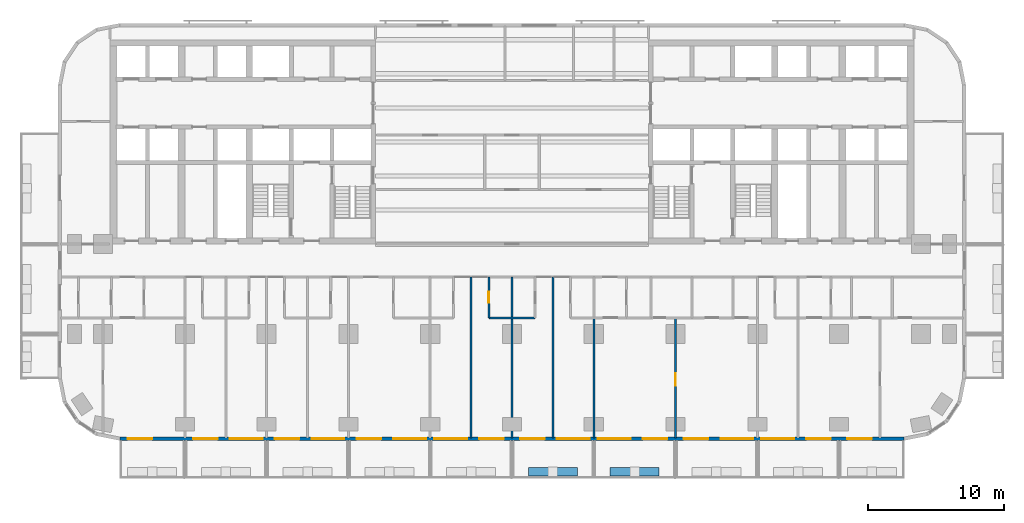
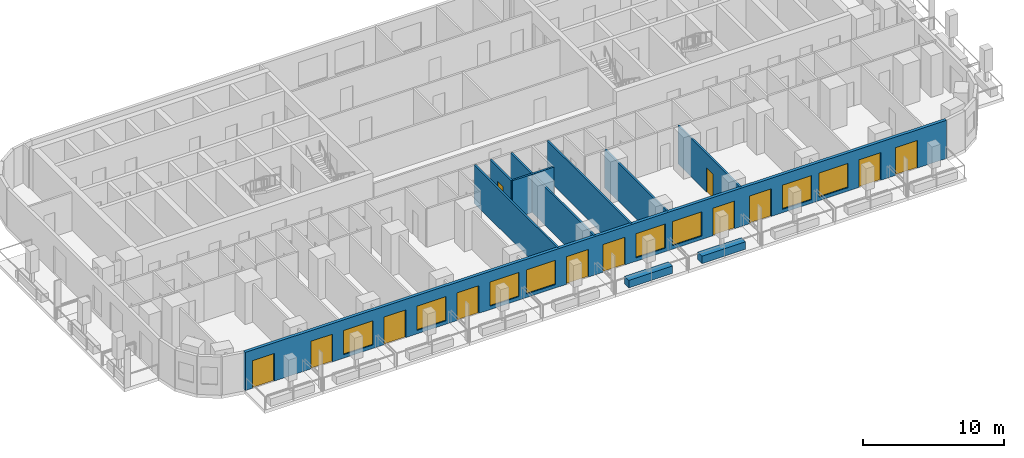
# One storey, part 5 of 15: 12 doors, 10 walls, 8 windows, 20 openings.
"""IFC4 building model written with IfcOpenShell, lengths in metres."""

from ifc_helpers import new_model, si_unit, direction, frame, frame_2d, origin, place, context, subcontext, project, spatial, rectangle, extrude, material, layer, layer_set, type_object, element, fill, save


model = new_model("IFC4")

# Units and contexts
model_context = context("Model", 3, precision=1e-05, world=origin(), true_north=direction((0.0, 1.0)))
body_context = subcontext(model_context, "Body", "Model", "MODEL_VIEW")
ifc_project = project(units=[si_unit("LENGTHUNIT", "METRE"), si_unit("AREAUNIT", "SQUARE_METRE"), si_unit("VOLUMEUNIT", "CUBIC_METRE"), si_unit("PLANEANGLEUNIT", "RADIAN"), si_unit("MASSUNIT", "GRAM", prefix="KILO")], contexts=[model_context])

# Site, building, storey
site_placement = place(None, origin())
site = spatial("IfcSite", under=ifc_project, at=site_placement, CompositionType="ELEMENT")
building_placement = place(site_placement, origin())
building = spatial("IfcBuilding", under=site, at=building_placement, Name="Torana Hotel and Residences", CompositionType="ELEMENT")
storey_placement = place(building_placement, frame((0.0, 0.0, 52.800048828125)))
storey = spatial("IfcBuildingStorey", under=building, at=storey_placement, Name="L12", CompositionType="ELEMENT", Elevation=52.800048828125)

# Wall, openings, doors, windows
ifc_material_1 = material(Name="Black aluminium composite panel", Category="aluminium")
ifc_layer_1 = layer(ifc_material_1, 0.00390625, Name="Cladding", Category="cladding")
ifc_material_2 = material(Name="Ventilated air cavity")
ifc_layer_2 = layer(ifc_material_2, 0.0400390625, Name="Ventilated cavity", Category="cavity")
ifc_material_3 = material(Name="Mineral wool insulation")
ifc_layer_3 = layer(ifc_material_3, 0.090087890625, Name="Insulation", Category="insulation")
ifc_material_4 = material(Name="Steel S280GD", Category="steel")
ifc_layer_4 = layer(ifc_material_4, 0.092041015625, Name="Steel stud frame", Category="structure")
ifc_material_5 = material(Name="Fire rated plasterboard")
ifc_layer_5 = layer(ifc_material_5, 0.011962890625, Name="Inner board", Category="finish")
ifc_layer_6 = layer(ifc_material_5, 0.011962890625, Name="Second board", Category="finish")
ifc_layer_set_1 = layer_set([ifc_layer_1, ifc_layer_2, ifc_layer_3, ifc_layer_4, ifc_layer_5, ifc_layer_6], Name="EW1 EXTERNAL WALL BLACK METAL CLAD 250")
wall_type_1 = type_object("IfcWallType", Name="EW1 EXTERNAL WALL BLACK METAL CLAD 250", PredefinedType="SOLIDWALL", material=ifc_layer_set_1)
wall_1_placement = place(storey_placement, frame((-28.775390625, -29.27490234375, 0.0), z_axis=(0.0, 0.0, 1.0), x_axis=(1.0, 0.0, 0.0)))
wall_1 = element("IfcWall", 1, at=wall_1_placement, inside=storey, type_object=wall_type_1, Name="External wall L12 e0.14", PredefinedType="SOLIDWALL", context=body_context, shape_type="SweptSolid", body=[
    extrude(rectangle(XDim=57.55078125, YDim=0.25, at=frame_2d((28.775390625, 0.0))), origin(), (0.0, 0.0, 1.0), 3.320068359375),
])
opening_1_placement = place(wall_1_placement, frame((0.575439453125, 0.0, 0.0)))
opening_1 = element("IfcOpeningElement", 2, at=opening_1_placement, cuts=wall_1, Name="Opening L12-E01", PredefinedType="OPENING", context=body_context, shape_type="SweptSolid", body=[
    extrude(rectangle(XDim=1.800048828125, YDim=2.39990234375, at=frame_2d((0.89990234375, 1.199951171875))), frame((0.0, 0.135009765625, 0.0), z_axis=(0.0, -1.0, 0.0), x_axis=(1.0, 0.0, 0.0)), (0.0, 0.0, 1.0), 0.27001953125),
])
opening_2_placement = place(wall_1_placement, frame((5.37548828125, 0.0, 0.0)))
opening_2 = element("IfcOpeningElement", 3, at=opening_2_placement, cuts=wall_1, Name="Opening L12-E02", PredefinedType="OPENING", context=body_context, shape_type="SweptSolid", body=[
    extrude(rectangle(XDim=1.800048828125, YDim=2.39990234375, at=frame_2d((0.89990234375, 1.199951171875))), frame((0.0, 0.135009765625, 0.0), z_axis=(0.0, -1.0, 0.0), x_axis=(1.0, 0.0, 0.0)), (0.0, 0.0, 1.0), 0.27001953125),
])
opening_3_placement = place(wall_1_placement, frame((8.075439453125, 0.0, 0.300048828125)))
opening_3 = element("IfcOpeningElement", 4, at=opening_3_placement, cuts=wall_1, Name="Opening W1", PredefinedType="OPENING", context=body_context, shape_type="SweptSolid", body=[
    extrude(rectangle(XDim=2.39990234375, YDim=2.10009765625, at=frame_2d((1.199951171875, 1.050048828125))), frame((0.0, 0.135009765625, 0.0), z_axis=(0.0, -1.0, 0.0), x_axis=(1.0, 0.0, 0.0)), (0.0, 0.0, 1.0), 0.27001953125),
])
opening_4_placement = place(wall_1_placement, frame((11.37548828125, 0.0, 0.0)))
opening_4 = element("IfcOpeningElement", 5, at=opening_4_placement, cuts=wall_1, Name="Opening L12-E03", PredefinedType="OPENING", context=body_context, shape_type="SweptSolid", body=[
    extrude(rectangle(XDim=1.800048828125, YDim=2.39990234375, at=frame_2d((0.89990234375, 1.199951171875))), frame((0.0, 0.135009765625, 0.0), z_axis=(0.0, -1.0, 0.0), x_axis=(1.0, 0.0, 0.0)), (0.0, 0.0, 1.0), 0.27001953125),
])
opening_5_placement = place(wall_1_placement, frame((14.075439453125, 0.0, 0.300048828125)))
opening_5 = element("IfcOpeningElement", 6, at=opening_5_placement, cuts=wall_1, Name="Opening W1", PredefinedType="OPENING", context=body_context, shape_type="SweptSolid", body=[
    extrude(rectangle(XDim=2.39990234375, YDim=2.10009765625, at=frame_2d((1.199951171875, 1.050048828125))), frame((0.0, 0.135009765625, 0.0), z_axis=(0.0, -1.0, 0.0), x_axis=(1.0, 0.0, 0.0)), (0.0, 0.0, 1.0), 0.27001953125),
])
opening_6_placement = place(wall_1_placement, frame((17.37548828125, 0.0, 0.0)))
opening_6 = element("IfcOpeningElement", 7, at=opening_6_placement, cuts=wall_1, Name="Opening L12-E04", PredefinedType="OPENING", context=body_context, shape_type="SweptSolid", body=[
    extrude(rectangle(XDim=1.800048828125, YDim=2.39990234375, at=frame_2d((0.89990234375, 1.199951171875))), frame((0.0, 0.135009765625, 0.0), z_axis=(0.0, -1.0, 0.0), x_axis=(1.0, 0.0, 0.0)), (0.0, 0.0, 1.0), 0.27001953125),
])
opening_7_placement = place(wall_1_placement, frame((20.075439453125, 0.0, 0.300048828125)))
opening_7 = element("IfcOpeningElement", 8, at=opening_7_placement, cuts=wall_1, Name="Opening W1", PredefinedType="OPENING", context=body_context, shape_type="SweptSolid", body=[
    extrude(rectangle(XDim=2.39990234375, YDim=2.10009765625, at=frame_2d((1.199951171875, 1.050048828125))), frame((0.0, 0.135009765625, 0.0), z_axis=(0.0, -1.0, 0.0), x_axis=(1.0, 0.0, 0.0)), (0.0, 0.0, 1.0), 0.27001953125),
])
opening_8_placement = place(wall_1_placement, frame((23.075439453125, 0.0, 0.300048828125)))
opening_8 = element("IfcOpeningElement", 9, at=opening_8_placement, cuts=wall_1, Name="Opening W1", PredefinedType="OPENING", context=body_context, shape_type="SweptSolid", body=[
    extrude(rectangle(XDim=2.39990234375, YDim=2.10009765625, at=frame_2d((1.199951171875, 1.050048828125))), frame((0.0, 0.135009765625, 0.0), z_axis=(0.0, -1.0, 0.0), x_axis=(1.0, 0.0, 0.0)), (0.0, 0.0, 1.0), 0.27001953125),
])
opening_9_placement = place(wall_1_placement, frame((26.37548828125, 0.0, 0.0)))
opening_9 = element("IfcOpeningElement", 10, at=opening_9_placement, cuts=wall_1, Name="Opening L12-E05", PredefinedType="OPENING", context=body_context, shape_type="SweptSolid", body=[
    extrude(rectangle(XDim=1.800048828125, YDim=2.39990234375, at=frame_2d((0.89990234375, 1.199951171875))), frame((0.0, 0.135009765625, 0.0), z_axis=(0.0, -1.0, 0.0), x_axis=(1.0, 0.0, 0.0)), (0.0, 0.0, 1.0), 0.27001953125),
])
opening_10_placement = place(wall_1_placement, frame((29.37548828125, 0.0, 0.0)))
opening_10 = element("IfcOpeningElement", 11, at=opening_10_placement, cuts=wall_1, Name="Opening L12-E06", PredefinedType="OPENING", context=body_context, shape_type="SweptSolid", body=[
    extrude(rectangle(XDim=1.800048828125, YDim=2.39990234375, at=frame_2d((0.89990234375, 1.199951171875))), frame((0.0, 0.135009765625, 0.0), z_axis=(0.0, -1.0, 0.0), x_axis=(1.0, 0.0, 0.0)), (0.0, 0.0, 1.0), 0.27001953125),
])
opening_11_placement = place(wall_1_placement, frame((32.075439453125, 0.0, 0.300048828125)))
opening_11 = element("IfcOpeningElement", 12, at=opening_11_placement, cuts=wall_1, Name="Opening W1", PredefinedType="OPENING", context=body_context, shape_type="SweptSolid", body=[
    extrude(rectangle(XDim=2.39990234375, YDim=2.10009765625, at=frame_2d((1.199951171875, 1.050048828125))), frame((0.0, 0.135009765625, 0.0), z_axis=(0.0, -1.0, 0.0), x_axis=(1.0, 0.0, 0.0)), (0.0, 0.0, 1.0), 0.27001953125),
])
opening_12_placement = place(wall_1_placement, frame((35.075439453125, 0.0, 0.300048828125)))
opening_12 = element("IfcOpeningElement", 13, at=opening_12_placement, cuts=wall_1, Name="Opening W1", PredefinedType="OPENING", context=body_context, shape_type="SweptSolid", body=[
    extrude(rectangle(XDim=2.39990234375, YDim=2.10009765625, at=frame_2d((1.199951171875, 1.050048828125))), frame((0.0, 0.135009765625, 0.0), z_axis=(0.0, -1.0, 0.0), x_axis=(1.0, 0.0, 0.0)), (0.0, 0.0, 1.0), 0.27001953125),
])
opening_13_placement = place(wall_1_placement, frame((38.37548828125, 0.0, 0.0)))
opening_13 = element("IfcOpeningElement", 14, at=opening_13_placement, cuts=wall_1, Name="Opening L12-E07", PredefinedType="OPENING", context=body_context, shape_type="SweptSolid", body=[
    extrude(rectangle(XDim=1.800048828125, YDim=2.39990234375, at=frame_2d((0.89990234375, 1.199951171875))), frame((0.0, 0.135009765625, 0.0), z_axis=(0.0, -1.0, 0.0), x_axis=(1.0, 0.0, 0.0)), (0.0, 0.0, 1.0), 0.27001953125),
])
opening_14_placement = place(wall_1_placement, frame((41.37548828125, 0.0, 0.0)))
opening_14 = element("IfcOpeningElement", 15, at=opening_14_placement, cuts=wall_1, Name="Opening L12-E08", PredefinedType="OPENING", context=body_context, shape_type="SweptSolid", body=[
    extrude(rectangle(XDim=1.800048828125, YDim=2.39990234375, at=frame_2d((0.89990234375, 1.199951171875))), frame((0.0, 0.135009765625, 0.0), z_axis=(0.0, -1.0, 0.0), x_axis=(1.0, 0.0, 0.0)), (0.0, 0.0, 1.0), 0.27001953125),
])
opening_15_placement = place(wall_1_placement, frame((44.075439453125, 0.0, 0.300048828125)))
opening_15 = element("IfcOpeningElement", 16, at=opening_15_placement, cuts=wall_1, Name="Opening W1", PredefinedType="OPENING", context=body_context, shape_type="SweptSolid", body=[
    extrude(rectangle(XDim=2.39990234375, YDim=2.10009765625, at=frame_2d((1.199951171875, 1.050048828125))), frame((0.0, 0.135009765625, 0.0), z_axis=(0.0, -1.0, 0.0), x_axis=(1.0, 0.0, 0.0)), (0.0, 0.0, 1.0), 0.27001953125),
])
opening_16_placement = place(wall_1_placement, frame((47.075439453125, 0.0, 0.300048828125)))
opening_16 = element("IfcOpeningElement", 17, at=opening_16_placement, cuts=wall_1, Name="Opening W1", PredefinedType="OPENING", context=body_context, shape_type="SweptSolid", body=[
    extrude(rectangle(XDim=2.39990234375, YDim=2.10009765625, at=frame_2d((1.199951171875, 1.050048828125))), frame((0.0, 0.135009765625, 0.0), z_axis=(0.0, -1.0, 0.0), x_axis=(1.0, 0.0, 0.0)), (0.0, 0.0, 1.0), 0.27001953125),
])
opening_17_placement = place(wall_1_placement, frame((50.37548828125, 0.0, 0.0)))
opening_17 = element("IfcOpeningElement", 18, at=opening_17_placement, cuts=wall_1, Name="Opening L12-E09", PredefinedType="OPENING", context=body_context, shape_type="SweptSolid", body=[
    extrude(rectangle(XDim=1.800048828125, YDim=2.39990234375, at=frame_2d((0.89990234375, 1.199951171875))), frame((0.0, 0.135009765625, 0.0), z_axis=(0.0, -1.0, 0.0), x_axis=(1.0, 0.0, 0.0)), (0.0, 0.0, 1.0), 0.27001953125),
])
opening_18_placement = place(wall_1_placement, frame((53.37548828125, 0.0, 0.0)))
opening_18 = element("IfcOpeningElement", 19, at=opening_18_placement, cuts=wall_1, Name="Opening L12-E10", PredefinedType="OPENING", context=body_context, shape_type="SweptSolid", body=[
    extrude(rectangle(XDim=1.800048828125, YDim=2.39990234375, at=frame_2d((0.89990234375, 1.199951171875))), frame((0.0, 0.135009765625, 0.0), z_axis=(0.0, -1.0, 0.0), x_axis=(1.0, 0.0, 0.0)), (0.0, 0.0, 1.0), 0.27001953125),
])
ifc_material_6 = material(Name="Dark glass in black aluminium frame", Category="aluminium")
door_type_1 = type_object("IfcDoorType", Name="DB1 BALCONY DOOR 1800x2400", OperationType="DOUBLE_DOOR_SINGLE_SWING", PredefinedType="DOOR", material=ifc_material_6)
door_1_placement = place(opening_1_placement, origin())
door_1 = element("IfcDoor", 20, at=door_1_placement, inside=storey, type_object=door_type_1, Name="Balcony door L12", OperationType="DOUBLE_DOOR_SINGLE_SWING", OverallHeight=2.39990234375, OverallWidth=1.800048828125, PredefinedType="DOOR", context=body_context, shape_type="SweptSolid", body=[
    extrude(rectangle(XDim=1.800048828125, YDim=2.39990234375, at=frame_2d((0.89990234375, 1.199951171875))), frame((0.0, 0.02490234375, 0.0), z_axis=(0.0, -1.0, 0.0), x_axis=(1.0, 0.0, 0.0)), (0.0, 0.0, 1.0), 0.050048828125),
])
fill(opening_1, door_1)
door_2_placement = place(opening_2_placement, frame((0.89990234375, 0.0, 0.0), z_axis=(0.0, 0.0, 1.0), x_axis=(-1.0, 0.0, 0.0)))
door_2 = element("IfcDoor", 21, at=door_2_placement, inside=storey, type_object=door_type_1, Name="Balcony door L12", OperationType="DOUBLE_DOOR_SINGLE_SWING", OverallHeight=2.39990234375, OverallWidth=1.800048828125, PredefinedType="DOOR", context=body_context, shape_type="SweptSolid", body=[
    extrude(rectangle(XDim=1.800048828125, YDim=2.39990234375, at=frame_2d((0.0, 1.199951171875))), frame((0.0, -0.02490234375, 0.0), z_axis=(0.0, 1.0, 0.0), x_axis=(-1.0, 0.0, 0.0)), (0.0, 0.0, 1.0), 0.050048828125),
])
fill(opening_2, door_2)
door_3_placement = place(opening_4_placement, frame((0.89990234375, 0.0, 0.0), z_axis=(0.0, 0.0, 1.0), x_axis=(-1.0, 0.0, 0.0)))
door_3 = element("IfcDoor", 22, at=door_3_placement, inside=storey, type_object=door_type_1, Name="Balcony door L12", OperationType="DOUBLE_DOOR_SINGLE_SWING", OverallHeight=2.39990234375, OverallWidth=1.800048828125, PredefinedType="DOOR", context=body_context, shape_type="SweptSolid", body=[
    extrude(rectangle(XDim=1.800048828125, YDim=2.39990234375, at=frame_2d((0.0, 1.199951171875))), frame((0.0, -0.02490234375, 0.0), z_axis=(0.0, 1.0, 0.0), x_axis=(-1.0, 0.0, 0.0)), (0.0, 0.0, 1.0), 0.050048828125),
])
fill(opening_4, door_3)
door_4_placement = place(opening_6_placement, frame((0.89990234375, 0.0, 0.0), z_axis=(0.0, 0.0, 1.0), x_axis=(-1.0, 0.0, 0.0)))
door_4 = element("IfcDoor", 23, at=door_4_placement, inside=storey, type_object=door_type_1, Name="Balcony door L12", OperationType="DOUBLE_DOOR_SINGLE_SWING", OverallHeight=2.39990234375, OverallWidth=1.800048828125, PredefinedType="DOOR", context=body_context, shape_type="SweptSolid", body=[
    extrude(rectangle(XDim=1.800048828125, YDim=2.39990234375, at=frame_2d((0.0, 1.199951171875))), frame((0.0, -0.02490234375, 0.0), z_axis=(0.0, 1.0, 0.0), x_axis=(-1.0, 0.0, 0.0)), (0.0, 0.0, 1.0), 0.050048828125),
])
fill(opening_6, door_4)
door_5_placement = place(opening_9_placement, frame((0.89990234375, 0.0, 0.0), z_axis=(0.0, 0.0, 1.0), x_axis=(-1.0, 0.0, 0.0)))
door_5 = element("IfcDoor", 24, at=door_5_placement, inside=storey, type_object=door_type_1, Name="Balcony door L12", OperationType="DOUBLE_DOOR_SINGLE_SWING", OverallHeight=2.39990234375, OverallWidth=1.800048828125, PredefinedType="DOOR", context=body_context, shape_type="SweptSolid", body=[
    extrude(rectangle(XDim=1.800048828125, YDim=2.39990234375, at=frame_2d((0.0, 1.199951171875))), frame((0.0, -0.02490234375, 0.0), z_axis=(0.0, 1.0, 0.0), x_axis=(-1.0, 0.0, 0.0)), (0.0, 0.0, 1.0), 0.050048828125),
])
fill(opening_9, door_5)
door_6_placement = place(opening_10_placement, frame((0.89990234375, 0.0, 0.0), z_axis=(0.0, 0.0, 1.0), x_axis=(-1.0, 0.0, 0.0)))
door_6 = element("IfcDoor", 25, at=door_6_placement, inside=storey, type_object=door_type_1, Name="Balcony door L12", OperationType="DOUBLE_DOOR_SINGLE_SWING", OverallHeight=2.39990234375, OverallWidth=1.800048828125, PredefinedType="DOOR", context=body_context, shape_type="SweptSolid", body=[
    extrude(rectangle(XDim=1.800048828125, YDim=2.39990234375, at=frame_2d((0.0, 1.199951171875))), frame((0.0, -0.02490234375, 0.0), z_axis=(0.0, 1.0, 0.0), x_axis=(-1.0, 0.0, 0.0)), (0.0, 0.0, 1.0), 0.050048828125),
])
fill(opening_10, door_6)
door_7_placement = place(opening_13_placement, frame((0.89990234375, 0.0, 0.0), z_axis=(0.0, 0.0, 1.0), x_axis=(-1.0, 0.0, 0.0)))
door_7 = element("IfcDoor", 26, at=door_7_placement, inside=storey, type_object=door_type_1, Name="Balcony door L12", OperationType="DOUBLE_DOOR_SINGLE_SWING", OverallHeight=2.39990234375, OverallWidth=1.800048828125, PredefinedType="DOOR", context=body_context, shape_type="SweptSolid", body=[
    extrude(rectangle(XDim=1.800048828125, YDim=2.39990234375, at=frame_2d((0.0, 1.199951171875))), frame((0.0, -0.02490234375, 0.0), z_axis=(0.0, 1.0, 0.0), x_axis=(-1.0, 0.0, 0.0)), (0.0, 0.0, 1.0), 0.050048828125),
])
fill(opening_13, door_7)
door_8_placement = place(opening_14_placement, frame((0.89990234375, 0.0, 0.0), z_axis=(0.0, 0.0, 1.0), x_axis=(-1.0, 0.0, 0.0)))
door_8 = element("IfcDoor", 27, at=door_8_placement, inside=storey, type_object=door_type_1, Name="Balcony door L12", OperationType="DOUBLE_DOOR_SINGLE_SWING", OverallHeight=2.39990234375, OverallWidth=1.800048828125, PredefinedType="DOOR", context=body_context, shape_type="SweptSolid", body=[
    extrude(rectangle(XDim=1.800048828125, YDim=2.39990234375, at=frame_2d((0.0, 1.199951171875))), frame((0.0, -0.02490234375, 0.0), z_axis=(0.0, 1.0, 0.0), x_axis=(-1.0, 0.0, 0.0)), (0.0, 0.0, 1.0), 0.050048828125),
])
fill(opening_14, door_8)
door_9_placement = place(opening_17_placement, frame((0.89990234375, 0.0, 0.0), z_axis=(0.0, 0.0, 1.0), x_axis=(-1.0, 0.0, 0.0)))
door_9 = element("IfcDoor", 28, at=door_9_placement, inside=storey, type_object=door_type_1, Name="Balcony door L12", OperationType="DOUBLE_DOOR_SINGLE_SWING", OverallHeight=2.39990234375, OverallWidth=1.800048828125, PredefinedType="DOOR", context=body_context, shape_type="SweptSolid", body=[
    extrude(rectangle(XDim=1.800048828125, YDim=2.39990234375, at=frame_2d((0.0, 1.199951171875))), frame((0.0, -0.02490234375, 0.0), z_axis=(0.0, 1.0, 0.0), x_axis=(-1.0, 0.0, 0.0)), (0.0, 0.0, 1.0), 0.050048828125),
])
fill(opening_17, door_9)
door_10_placement = place(opening_18_placement, frame((0.89990234375, 0.0, 0.0), z_axis=(0.0, 0.0, 1.0), x_axis=(-1.0, 0.0, 0.0)))
door_10 = element("IfcDoor", 29, at=door_10_placement, inside=storey, type_object=door_type_1, Name="Balcony door L12", OperationType="DOUBLE_DOOR_SINGLE_SWING", OverallHeight=2.39990234375, OverallWidth=1.800048828125, PredefinedType="DOOR", context=body_context, shape_type="SweptSolid", body=[
    extrude(rectangle(XDim=1.800048828125, YDim=2.39990234375, at=frame_2d((0.0, 1.199951171875))), frame((0.0, -0.02490234375, 0.0), z_axis=(0.0, 1.0, 0.0), x_axis=(-1.0, 0.0, 0.0)), (0.0, 0.0, 1.0), 0.050048828125),
])
fill(opening_18, door_10)
ifc_material_7 = material(Name="Dark glass in black aluminium frame", Category="aluminium")
window_type = type_object("IfcWindowType", Name="W1 HOTEL ROOM WINDOW 2400x2100", PartitioningType="SINGLE_PANEL", PredefinedType="WINDOW", material=ifc_material_7)
window_1_placement = place(opening_3_placement, origin())
window_1 = element("IfcWindow", 30, at=window_1_placement, inside=storey, type_object=window_type, Name="Window L12", OverallHeight=2.10009765625, OverallWidth=2.39990234375, PartitioningType="SINGLE_PANEL", PredefinedType="WINDOW", context=body_context, shape_type="SweptSolid", body=[
    extrude(rectangle(XDim=2.39990234375, YDim=2.10009765625, at=frame_2d((1.199951171875, 1.050048828125))), frame((0.0, 0.030029296875, 0.0), z_axis=(0.0, -1.0, 0.0), x_axis=(1.0, 0.0, 0.0)), (0.0, 0.0, 1.0), 0.06005859375),
])
fill(opening_3, window_1)
window_2_placement = place(opening_5_placement, origin())
window_2 = element("IfcWindow", 31, at=window_2_placement, inside=storey, type_object=window_type, Name="Window L12", OverallHeight=2.10009765625, OverallWidth=2.39990234375, PartitioningType="SINGLE_PANEL", PredefinedType="WINDOW", context=body_context, shape_type="SweptSolid", body=[
    extrude(rectangle(XDim=2.39990234375, YDim=2.10009765625, at=frame_2d((1.199951171875, 1.050048828125))), frame((0.0, 0.030029296875, 0.0), z_axis=(0.0, -1.0, 0.0), x_axis=(1.0, 0.0, 0.0)), (0.0, 0.0, 1.0), 0.06005859375),
])
fill(opening_5, window_2)
window_3_placement = place(opening_7_placement, origin())
window_3 = element("IfcWindow", 32, at=window_3_placement, inside=storey, type_object=window_type, Name="Window L12", OverallHeight=2.10009765625, OverallWidth=2.39990234375, PartitioningType="SINGLE_PANEL", PredefinedType="WINDOW", context=body_context, shape_type="SweptSolid", body=[
    extrude(rectangle(XDim=2.39990234375, YDim=2.10009765625, at=frame_2d((1.199951171875, 1.050048828125))), frame((0.0, 0.030029296875, 0.0), z_axis=(0.0, -1.0, 0.0), x_axis=(1.0, 0.0, 0.0)), (0.0, 0.0, 1.0), 0.06005859375),
])
fill(opening_7, window_3)
window_4_placement = place(opening_8_placement, origin())
window_4 = element("IfcWindow", 33, at=window_4_placement, inside=storey, type_object=window_type, Name="Window L12", OverallHeight=2.10009765625, OverallWidth=2.39990234375, PartitioningType="SINGLE_PANEL", PredefinedType="WINDOW", context=body_context, shape_type="SweptSolid", body=[
    extrude(rectangle(XDim=2.39990234375, YDim=2.10009765625, at=frame_2d((1.199951171875, 1.050048828125))), frame((0.0, 0.030029296875, 0.0), z_axis=(0.0, -1.0, 0.0), x_axis=(1.0, 0.0, 0.0)), (0.0, 0.0, 1.0), 0.06005859375),
])
fill(opening_8, window_4)
window_5_placement = place(opening_11_placement, origin())
window_5 = element("IfcWindow", 34, at=window_5_placement, inside=storey, type_object=window_type, Name="Window L12", OverallHeight=2.10009765625, OverallWidth=2.39990234375, PartitioningType="SINGLE_PANEL", PredefinedType="WINDOW", context=body_context, shape_type="SweptSolid", body=[
    extrude(rectangle(XDim=2.39990234375, YDim=2.10009765625, at=frame_2d((1.199951171875, 1.050048828125))), frame((0.0, 0.030029296875, 0.0), z_axis=(0.0, -1.0, 0.0), x_axis=(1.0, 0.0, 0.0)), (0.0, 0.0, 1.0), 0.06005859375),
])
fill(opening_11, window_5)
window_6_placement = place(opening_12_placement, origin())
window_6 = element("IfcWindow", 35, at=window_6_placement, inside=storey, type_object=window_type, Name="Window L12", OverallHeight=2.10009765625, OverallWidth=2.39990234375, PartitioningType="SINGLE_PANEL", PredefinedType="WINDOW", context=body_context, shape_type="SweptSolid", body=[
    extrude(rectangle(XDim=2.39990234375, YDim=2.10009765625, at=frame_2d((1.199951171875, 1.050048828125))), frame((0.0, 0.030029296875, 0.0), z_axis=(0.0, -1.0, 0.0), x_axis=(1.0, 0.0, 0.0)), (0.0, 0.0, 1.0), 0.06005859375),
])
fill(opening_12, window_6)
window_7_placement = place(opening_15_placement, origin())
window_7 = element("IfcWindow", 36, at=window_7_placement, inside=storey, type_object=window_type, Name="Window L12", OverallHeight=2.10009765625, OverallWidth=2.39990234375, PartitioningType="SINGLE_PANEL", PredefinedType="WINDOW", context=body_context, shape_type="SweptSolid", body=[
    extrude(rectangle(XDim=2.39990234375, YDim=2.10009765625, at=frame_2d((1.199951171875, 1.050048828125))), frame((0.0, 0.030029296875, 0.0), z_axis=(0.0, -1.0, 0.0), x_axis=(1.0, 0.0, 0.0)), (0.0, 0.0, 1.0), 0.06005859375),
])
fill(opening_15, window_7)
window_8_placement = place(opening_16_placement, origin())
window_8 = element("IfcWindow", 37, at=window_8_placement, inside=storey, type_object=window_type, Name="Window L12", OverallHeight=2.10009765625, OverallWidth=2.39990234375, PartitioningType="SINGLE_PANEL", PredefinedType="WINDOW", context=body_context, shape_type="SweptSolid", body=[
    extrude(rectangle(XDim=2.39990234375, YDim=2.10009765625, at=frame_2d((1.199951171875, 1.050048828125))), frame((0.0, 0.030029296875, 0.0), z_axis=(0.0, -1.0, 0.0), x_axis=(1.0, 0.0, 0.0)), (0.0, 0.0, 1.0), 0.06005859375),
])
fill(opening_16, window_8)

# Wall, opening, door
ifc_material_8 = material(Name="Gypsum plasterboard")
ifc_layer_7 = layer(ifc_material_8, 0.012451171875, Name="Plasterboard", Category="finish")
ifc_layer_8 = layer(ifc_material_8, 0.012451171875, Name="Plasterboard", Category="finish")
ifc_layer_9 = layer(ifc_material_4, 0.10009765625, Name="Steel studs with mineral wool", Category="insulation")
ifc_layer_10 = layer(ifc_material_8, 0.012451171875, Name="Plasterboard", Category="finish")
ifc_layer_11 = layer(ifc_material_8, 0.012451171875, Name="Plasterboard", Category="finish")
ifc_layer_set_2 = layer_set([ifc_layer_7, ifc_layer_8, ifc_layer_9, ifc_layer_10, ifc_layer_11], Name="PARTITION 150 PLASTERBOARD")
wall_type_2 = type_object("IfcWallType", Name="PARTITION 150 PLASTERBOARD", PredefinedType="PARTITIONING", material=ifc_layer_set_2)
wall_2_placement = place(storey_placement, frame((12.0, -29.219970703125, 0.0), z_axis=(0.0, 0.0, 1.0), x_axis=(0.0, 1.0, 0.0)))
wall_2 = element("IfcWall", 38, at=wall_2_placement, inside=storey, type_object=wall_type_2, Name="Partition L12", PredefinedType="PARTITIONING", context=body_context, shape_type="SweptSolid", body=[
    extrude(rectangle(XDim=8.820068359375, YDim=0.14990234375, at=frame_2d((4.41015625, 0.0))), origin(), (0.0, 0.0, 1.0), 3.320068359375),
])
opening_19_placement = place(wall_2_placement, frame((3.85009765625, 0.0, 0.0)))
opening_19 = element("IfcOpeningElement", 39, at=opening_19_placement, cuts=wall_2, Name="Opening L12-71", PredefinedType="OPENING", context=body_context, shape_type="SweptSolid", body=[
    extrude(rectangle(XDim=0.89990234375, YDim=2.10009765625, at=frame_2d((0.449951171875, 1.050048828125))), frame((0.0, 0.0849609375, 0.0), z_axis=(0.0, -1.0, 0.0), x_axis=(1.0, 0.0, 0.0)), (0.0, 0.0, 1.0), 0.169921875),
])
ifc_material_9 = material(Name="Timber door, oiled ash", Category="wood")
door_type_2 = type_object("IfcDoorType", Name="ROOM DOOR D7 900x2100", OperationType="SINGLE_SWING_LEFT", PredefinedType="DOOR", material=ifc_material_9)
door_11_placement = place(opening_19_placement, origin())
door_11 = element("IfcDoor", 40, at=door_11_placement, inside=storey, type_object=door_type_2, Name="Door L12", OperationType="SINGLE_SWING_RIGHT", OverallHeight=2.10009765625, OverallWidth=0.89990234375, PredefinedType="DOOR", context=body_context, shape_type="SweptSolid", body=[
    extrude(rectangle(XDim=0.89990234375, YDim=2.10009765625, at=frame_2d((0.449951171875, 1.050048828125))), frame((0.0, 0.02490234375, 0.0), z_axis=(0.0, -1.0, 0.0), x_axis=(1.0, 0.0, 0.0)), (0.0, 0.0, 1.0), 0.050048828125),
])
fill(opening_19, door_11)

# Walls
wall_3_placement = place(storey_placement, frame((6.0, -29.219970703125, 0.0), z_axis=(0.0, 0.0, 1.0), x_axis=(0.0, 1.0, 0.0)))
element("IfcWall", 41, at=wall_3_placement, inside=storey, type_object=wall_type_2, Name="Partition L12", PredefinedType="PARTITIONING", context=body_context, shape_type="SweptSolid", body=[
    extrude(rectangle(XDim=8.820068359375, YDim=0.14990234375, at=frame_2d((4.41015625, 0.0))), origin(), (0.0, 0.0, 1.0), 3.320068359375),
])
for number, where, z_axis, x_axis, name in (
    (42, (3.0, -29.219970703125, 0.0), (0.0, 0.0, 1.0), (0.0, 1.0, 0.0), "Partition L12"),
    (43, (0.0, -29.219970703125, 0.0), (0.0, 0.0, 1.0), (0.0, 1.0, 0.0), "Partition L12"),
):
    element("IfcWall", number, at=place(storey_placement, frame(where, z_axis=z_axis, x_axis=x_axis)), inside=storey, type_object=wall_type_2, Name=name, PredefinedType="PARTITIONING", context=body_context, shape_type="SweptSolid", body=[
        extrude(rectangle(XDim=11.820068359375, YDim=0.14990234375, at=frame_2d((5.91015625, 0.0))), origin(), (0.0, 0.0, 1.0), 3.320068359375),
    ])

# Wall, opening, door
wall_4_placement = place(storey_placement, frame((-1.699951171875, -20.39990234375, 0.0), z_axis=(0.0, 0.0, 1.0), x_axis=(0.0, 1.0, 0.0)))
wall_4 = element("IfcWall", 44, at=wall_4_placement, inside=storey, type_object=wall_type_2, Name="Partition L12", PredefinedType="PARTITIONING", context=body_context, shape_type="SweptSolid", body=[
    extrude(rectangle(XDim=3.0, YDim=0.14990234375, at=frame_2d((1.5, 0.0))), origin(), (0.0, 0.0, 1.0), 3.320068359375),
])
opening_20_placement = place(wall_4_placement, frame((1.1201171875, 0.0, 0.0)))
opening_20 = element("IfcOpeningElement", 45, at=opening_20_placement, cuts=wall_4, Name="Opening L12-63", PredefinedType="OPENING", context=body_context, shape_type="SweptSolid", body=[
    extrude(rectangle(XDim=0.800048828125, YDim=2.10009765625, at=frame_2d((0.39990234375, 1.050048828125))), frame((0.0, 0.0849609375, 0.0), z_axis=(0.0, -1.0, 0.0), x_axis=(1.0, 0.0, 0.0)), (0.0, 0.0, 1.0), 0.169921875),
])
ifc_material_10 = material(Name="Timber door, painted", Category="wood")
door_type_3 = type_object("IfcDoorType", Name="BATH DOOR D13 800x2100", OperationType="SINGLE_SWING_LEFT", PredefinedType="DOOR", material=ifc_material_10)
door_12_placement = place(opening_20_placement, origin())
door_12 = element("IfcDoor", 46, at=door_12_placement, inside=storey, type_object=door_type_3, Name="Door L12", OperationType="SINGLE_SWING_LEFT", OverallHeight=2.10009765625, OverallWidth=0.800048828125, PredefinedType="DOOR", context=body_context, shape_type="SweptSolid", body=[
    extrude(rectangle(XDim=0.800048828125, YDim=2.10009765625, at=frame_2d((0.39990234375, 1.050048828125))), frame((0.0, 0.02490234375, 0.0), z_axis=(0.0, -1.0, 0.0), x_axis=(1.0, 0.0, 0.0)), (0.0, 0.0, 1.0), 0.050048828125),
])
fill(opening_20, door_12)

# Walls
wall_5_placement = place(storey_placement, frame((-3.0, -29.219970703125, 0.0), z_axis=(0.0, 0.0, 1.0), x_axis=(0.0, 1.0, 0.0)))
element("IfcWall", 47, at=wall_5_placement, inside=storey, type_object=wall_type_2, Name="Partition L12", PredefinedType="PARTITIONING", context=body_context, shape_type="SweptSolid", body=[
    extrude(rectangle(XDim=11.820068359375, YDim=0.14990234375, at=frame_2d((5.91015625, 0.0))), origin(), (0.0, 0.0, 1.0), 3.320068359375),
])
wall_6_placement = place(storey_placement, frame((-1.699951171875, -20.39990234375, 0.0), z_axis=(0.0, 0.0, 1.0), x_axis=(1.0, 0.0, 0.0)))
element("IfcWall", 48, at=wall_6_placement, inside=storey, type_object=wall_type_2, Name="Partition L12", PredefinedType="PARTITIONING", context=body_context, shape_type="SweptSolid", body=[
    extrude(rectangle(XDim=3.39990234375, YDim=0.14990234375, at=frame_2d((1.699951171875, 0.0))), origin(), (0.0, 0.0, 1.0), 3.320068359375),
])
ifc_material_11 = material(Name="Concrete C40/50 precast", Category="concrete")
ifc_layer_12 = layer(ifc_material_11, 0.10009765625, Name="Planter shell", Category="structure")
ifc_material_12 = material(Name="Root resistant membrane")
ifc_layer_13 = layer(ifc_material_12, 0.00390625, Name="Waterproofing membrane", Category="membrane")
ifc_material_13 = material(Name="Drainage board with filter fleece")
ifc_layer_14 = layer(ifc_material_13, 0.02001953125, Name="Drainage board", Category="drainage")
ifc_material_14 = material(Name="Growing medium")
ifc_layer_15 = layer(ifc_material_14, 0.47607421875, Name="Planting substrate", Category="soil")
ifc_layer_set_3 = layer_set([ifc_layer_12, ifc_layer_13, ifc_layer_14, ifc_layer_15], Name="PL1 BALCONY PLANTER 600")
wall_type_3 = type_object("IfcWallType", Name="PL1 BALCONY PLANTER 600", PredefinedType="USERDEFINED", material=ifc_layer_set_3)
for number, where, z_axis, x_axis, name in (
    (49, (4.800048828125, -31.699951171875, 0.0), (0.0, 0.0, 1.0), (-1.0, 0.0, 0.0), "Planter 06"),
    (50, (10.800048828125, -31.699951171875, 0.0), (0.0, 0.0, 1.0), (-1.0, 0.0, 0.0), "Planter 07"),
):
    element("IfcWall", number, at=place(storey_placement, frame(where, z_axis=z_axis, x_axis=x_axis)), inside=storey, type_object=wall_type_3, Name=name, ObjectType="PLANTER", PredefinedType="USERDEFINED", context=body_context, shape_type="SweptSolid", body=[
        extrude(rectangle(XDim=3.60009765625, YDim=0.60009765625, at=frame_2d((1.800048828125, 0.0))), origin(), (0.0, 0.0, 1.0), 0.64990234375),
    ])

save(model, "model.ifc")
